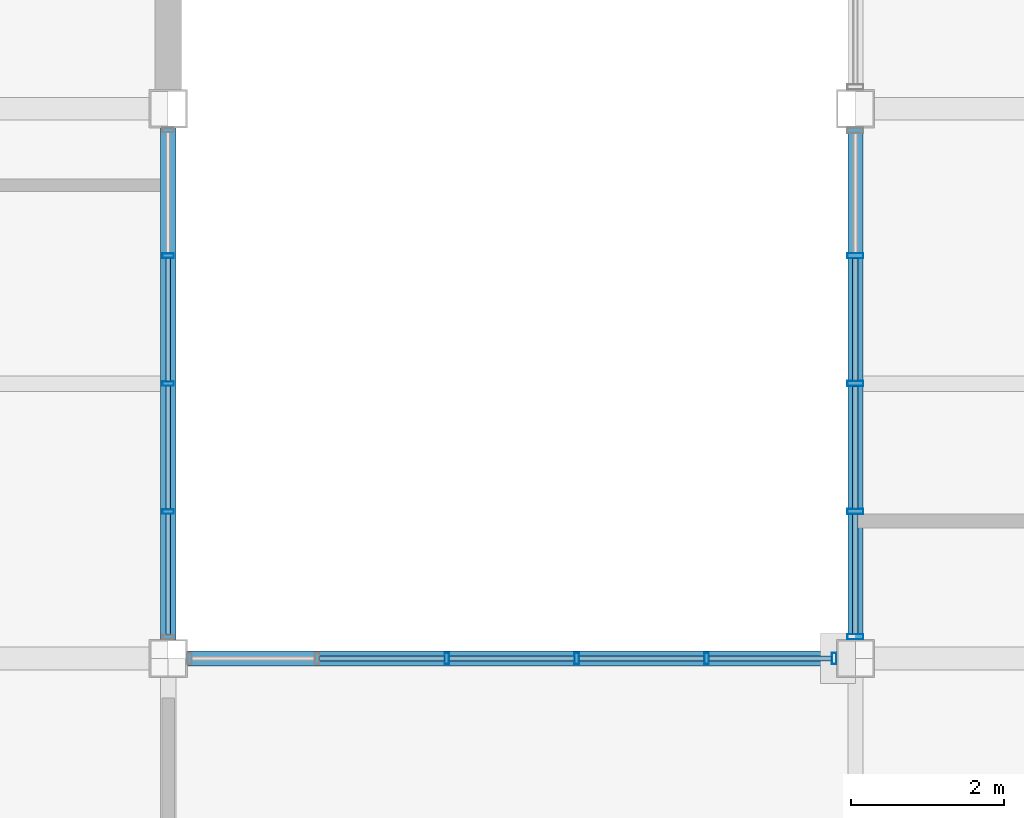
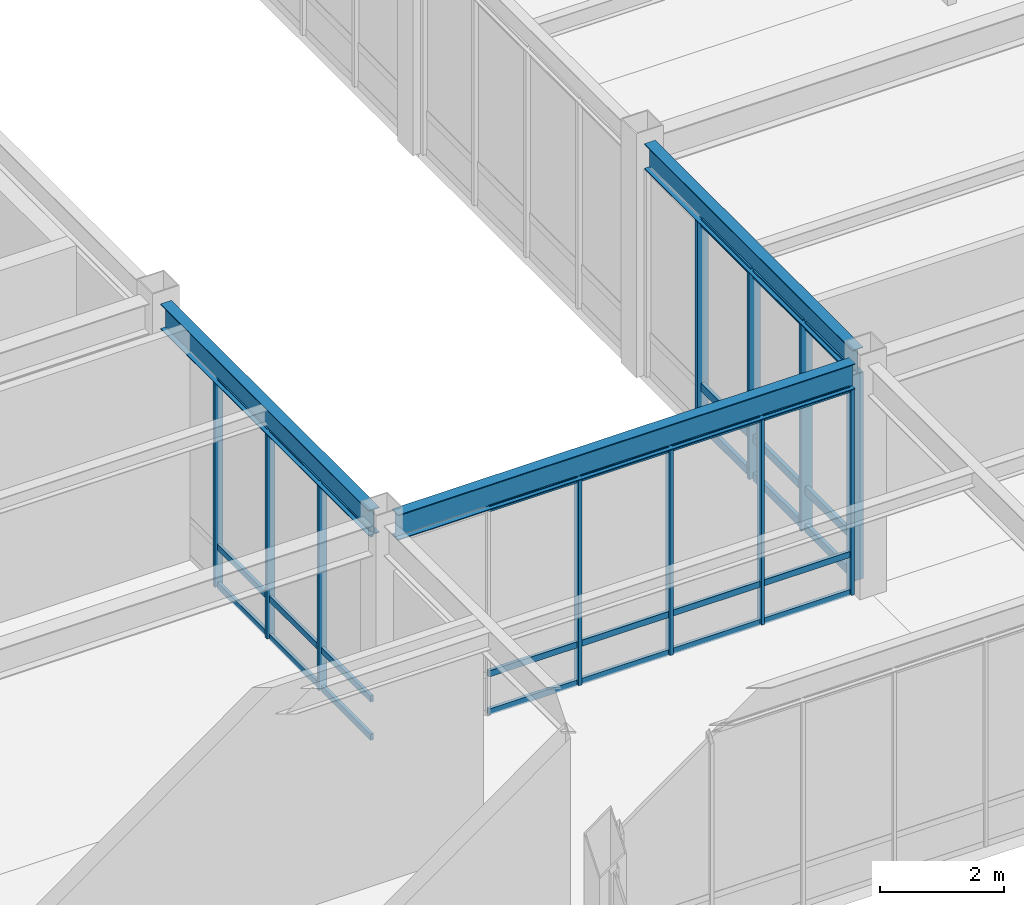
# One storey, part 50 of 112: 41 members, 3 beams, 3 elements without a shape of their own.
"""IFC4 building model written with IfcOpenShell, lengths in metres."""

from ifc_helpers import new_model, si_unit, direction, frame, origin, origin_2d, place, context, subcontext, project, spatial, hollow_rectangle, i_section, extrude, material, material_profile, profile_set, type_object, element, aggregate, save


model = new_model("IFC4")

# Units and contexts
model_context = context("Model", 3, precision=1e-05, world=origin(), true_north=direction((0.0, 1.0)))
body_context = subcontext(model_context, "Body", "Model", "MODEL_VIEW")
ifc_project = project(units=[si_unit("LENGTHUNIT", "METRE"), si_unit("AREAUNIT", "SQUARE_METRE"), si_unit("VOLUMEUNIT", "CUBIC_METRE"), si_unit("PLANEANGLEUNIT", "RADIAN"), si_unit("MASSUNIT", "GRAM", prefix="KILO")], contexts=[model_context])

# Site, building, storey
site_placement = place(None, origin())
site = spatial("IfcSite", under=ifc_project, at=site_placement, CompositionType="ELEMENT")
building_placement = place(site_placement, origin())
building = spatial("IfcBuilding", under=site, at=building_placement, Name="Kazanami Central Library", CompositionType="ELEMENT")
storey_placement = place(building_placement, origin())
storey = spatial("IfcBuildingStorey", under=building, at=storey_placement, Name="L01", CompositionType="ELEMENT", Elevation=0.0)

# Beams
ifc_material_1 = material(Name="Steel SN490B (325 MPa)", Category="steel")
ifc_material_profile_1 = material_profile(ifc_material_1, i_section(OverallWidth=0.199951171875, OverallDepth=0.5, WebThickness=0.010009765625, FlangeThickness=0.01611328125, at=origin_2d()), Name="H-500x200x10x16")
ifc_profile_set_1 = profile_set([ifc_material_profile_1], Name="Steel SN490B (325 MPa)")
beam_type = type_object("IfcBeamType", Name="BM-SP-1", PredefinedType="SPANDREL", material=ifc_profile_set_1)
beam_placement = place(storey_placement, frame((36.248046875, 72.0, 4.304931640625), z_axis=(1.0, 0.0, 0.0), x_axis=(0.0, 1.0, 0.0)))
element("IfcBeam", 1, at=beam_placement, inside=storey, type_object=beam_type, Name="Covered Link Bridge Girder SP-1 L01 L/5-6", PredefinedType="SPANDREL", context=body_context, shape_type="SweptSolid", body=[
    extrude(i_section(OverallWidth=0.199951171875, OverallDepth=0.5, WebThickness=0.010009765625, FlangeThickness=0.01611328125, at=origin_2d()), origin(), (0.0, 0.0, 1.0), 8.50390625),
])
for number, where, z_axis, x_axis, name in (
    (2, (36.0, 72.248046875, 4.304931640625), (0.0, 1.0, 0.0), (-1.0, 0.0, 0.0), "Girder SP-1 L01 5/L-M"),
    (3, (45.0, 72.248046875, 4.304931640625), (0.0, 1.0, 0.0), (-1.0, 0.0, 0.0), "Girder SP-1 L01 6/L-M"),
):
    element("IfcBeam", number, at=place(storey_placement, frame(where, z_axis=z_axis, x_axis=x_axis)), inside=storey, type_object=beam_type, Name=name, PredefinedType="SPANDREL", context=body_context, shape_type="SweptSolid", body=[
        extrude(i_section(OverallWidth=0.199951171875, OverallDepth=0.5, WebThickness=0.010009765625, FlangeThickness=0.01611328125, at=origin_2d()), origin(), (0.0, 0.0, 1.0), 6.703857421875),
    ])

# Curtain wall, members
ifc_material_2 = material(Name="Acid-Etched Low-E Laminated Glass", Category="glass")
curtain_wall_type_1 = type_object("IfcCurtainWallType", Name="CW-6700x4055-M180", PredefinedType="USERDEFINED", material=ifc_material_2)
curtain_wall_1_placement = place(storey_placement, origin())
curtain_wall_1 = element("IfcCurtainWall", 4, at=curtain_wall_1_placement, inside=storey, type_object=curtain_wall_type_1, Name="Covered Link Bridge Curtain Wall CW-09 L01 W-6-10", ObjectType="UNITISED CURTAIN WALL", PredefinedType="USERDEFINED")
ifc_material_3 = material(Name="Anodised Aluminium A6063-T5", Category="aluminium")
ifc_material_profile_2 = material_profile(ifc_material_3, hollow_rectangle(XDim=0.070068359375, YDim=0.2099609375, WallThickness=0.0048828125, at=origin_2d()), Name="ALU-MULL-70x210x5")
ifc_profile_set_2 = profile_set([ifc_material_profile_2], Name="Anodised Aluminium A6063-T5")
member_type_1 = type_object("IfcMemberType", Name="MEM-CW-M1", PredefinedType="MULLION", material=ifc_profile_set_2)
member_1_placement = place(storey_placement, frame((45.0, 72.284912109375, 0.0), z_axis=(0.0, 0.0, 1.0), x_axis=(0.0, 1.0, 0.0)))
member_1 = element("IfcMember", 5, at=member_1_placement, type_object=member_type_1, Name="CW-09 mullion 1", PredefinedType="MULLION", context=body_context, shape_type="SweptSolid", body=[
    extrude(hollow_rectangle(XDim=0.070068359375, YDim=0.2099609375, WallThickness=0.0048828125, at=origin_2d()), origin(), (0.0, 0.0, 1.0), 4.054931640625),
])
member_2_placement = place(storey_placement, frame((45.0, 73.925048828125, 0.0), z_axis=(0.0, 0.0, 1.0), x_axis=(0.0, 1.0, 0.0)))
member_2 = element("IfcMember", 6, at=member_2_placement, type_object=member_type_1, Name="CW-09 mullion 2", PredefinedType="MULLION", context=body_context, shape_type="SweptSolid", body=[
    extrude(hollow_rectangle(XDim=0.070068359375, YDim=0.2099609375, WallThickness=0.0048828125, at=origin_2d()), origin(), (0.0, 0.0, 1.0), 4.054931640625),
])
member_3_placement = place(storey_placement, frame((45.0, 75.60009765625, 0.0), z_axis=(0.0, 0.0, 1.0), x_axis=(0.0, 1.0, 0.0)))
member_3 = element("IfcMember", 7, at=member_3_placement, type_object=member_type_1, Name="CW-09 mullion 3", PredefinedType="MULLION", context=body_context, shape_type="SweptSolid", body=[
    extrude(hollow_rectangle(XDim=0.070068359375, YDim=0.2099609375, WallThickness=0.0048828125, at=origin_2d()), origin(), (0.0, 0.0, 1.0), 4.054931640625),
])
member_4_placement = place(storey_placement, frame((45.0, 77.27490234375, 0.0), z_axis=(0.0, 0.0, 1.0), x_axis=(0.0, 1.0, 0.0)))
member_4 = element("IfcMember", 8, at=member_4_placement, type_object=member_type_1, Name="CW-09 mullion 4", PredefinedType="MULLION", context=body_context, shape_type="SweptSolid", body=[
    extrude(hollow_rectangle(XDim=0.070068359375, YDim=0.2099609375, WallThickness=0.0048828125, at=origin_2d()), origin(), (0.0, 0.0, 1.0), 4.054931640625),
])

curtain_wall_type_2 = type_object("IfcCurtainWallType", Name="CW-8500x4055-M180", PredefinedType="USERDEFINED", material=ifc_material_2)
curtain_wall_2_placement = place(storey_placement, origin())
curtain_wall_2 = element("IfcCurtainWall", 9, at=curtain_wall_2_placement, inside=storey, type_object=curtain_wall_type_2, Name="Covered Link Bridge Curtain Wall CW-02 L01 N-L-04", ObjectType="UNITISED CURTAIN WALL", PredefinedType="USERDEFINED")
ifc_material_profile_3 = material_profile(ifc_material_3, hollow_rectangle(XDim=0.06005859375, YDim=0.14990234375, WallThickness=0.00390625, at=origin_2d()), Name="ALU-MULL-60x150x4")
ifc_profile_set_3 = profile_set([ifc_material_profile_3], Name="Anodised Aluminium A6063-T5")
member_type_2 = type_object("IfcMemberType", Name="MEM-CW-M3", PredefinedType="MULLION", material=ifc_profile_set_3)
member_5_placement = place(storey_placement, frame((44.719970703125, 72.0, 0.0), z_axis=(0.0, 0.0, 1.0), x_axis=(-1.0, 0.0, 0.0)))
member_5 = element("IfcMember", 10, at=member_5_placement, type_object=member_type_2, Name="CW-02 mullion 1", PredefinedType="MULLION", context=body_context, shape_type="SweptSolid", body=[
    extrude(hollow_rectangle(XDim=0.06005859375, YDim=0.14990234375, WallThickness=0.00390625, at=origin_2d()), origin(), (0.0, 0.0, 1.0), 4.054931640625),
])
member_6_placement = place(storey_placement, frame((43.050048828125, 72.0, 0.0), z_axis=(0.0, 0.0, 1.0), x_axis=(-1.0, 0.0, 0.0)))
member_6 = element("IfcMember", 11, at=member_6_placement, type_object=member_type_2, Name="CW-02 mullion 2", PredefinedType="MULLION", context=body_context, shape_type="SweptSolid", body=[
    extrude(hollow_rectangle(XDim=0.06005859375, YDim=0.14990234375, WallThickness=0.00390625, at=origin_2d()), origin(), (0.0, 0.0, 1.0), 4.054931640625),
])
member_7_placement = place(storey_placement, frame((41.35009765625, 72.0, 0.0), z_axis=(0.0, 0.0, 1.0), x_axis=(-1.0, 0.0, 0.0)))
member_7 = element("IfcMember", 12, at=member_7_placement, type_object=member_type_2, Name="CW-02 mullion 3", PredefinedType="MULLION", context=body_context, shape_type="SweptSolid", body=[
    extrude(hollow_rectangle(XDim=0.06005859375, YDim=0.14990234375, WallThickness=0.00390625, at=origin_2d()), origin(), (0.0, 0.0, 1.0), 4.054931640625),
])
member_8_placement = place(storey_placement, frame((39.64990234375, 72.0, 0.0), z_axis=(0.0, 0.0, 1.0), x_axis=(-1.0, 0.0, 0.0)))
member_8 = element("IfcMember", 13, at=member_8_placement, type_object=member_type_2, Name="CW-02 mullion 4", PredefinedType="MULLION", context=body_context, shape_type="SweptSolid", body=[
    extrude(hollow_rectangle(XDim=0.06005859375, YDim=0.14990234375, WallThickness=0.00390625, at=origin_2d()), origin(), (0.0, 0.0, 1.0), 4.054931640625),
])

curtain_wall_3_placement = place(storey_placement, origin())
curtain_wall_3 = element("IfcCurtainWall", 14, at=curtain_wall_3_placement, inside=storey, type_object=curtain_wall_type_1, Name="Covered Link Bridge Curtain Wall CW-09 L01 E-5-10", ObjectType="UNITISED CURTAIN WALL", PredefinedType="USERDEFINED")
member_9_placement = place(storey_placement, frame((36.0, 77.27490234375, 0.0), z_axis=(0.0, 0.0, 1.0), x_axis=(0.0, -1.0, 0.0)))
member_9 = element("IfcMember", 15, at=member_9_placement, type_object=member_type_2, Name="CW-09 mullion 2", PredefinedType="MULLION", context=body_context, shape_type="SweptSolid", body=[
    extrude(hollow_rectangle(XDim=0.06005859375, YDim=0.14990234375, WallThickness=0.00390625, at=origin_2d()), origin(), (0.0, 0.0, 1.0), 4.054931640625),
])
member_10_placement = place(storey_placement, frame((36.0, 75.60009765625, 0.0), z_axis=(0.0, 0.0, 1.0), x_axis=(0.0, -1.0, 0.0)))
member_10 = element("IfcMember", 16, at=member_10_placement, type_object=member_type_2, Name="CW-09 mullion 3", PredefinedType="MULLION", context=body_context, shape_type="SweptSolid", body=[
    extrude(hollow_rectangle(XDim=0.06005859375, YDim=0.14990234375, WallThickness=0.00390625, at=origin_2d()), origin(), (0.0, 0.0, 1.0), 4.054931640625),
])
member_11_placement = place(storey_placement, frame((36.0, 73.925048828125, 0.0), z_axis=(0.0, 0.0, 1.0), x_axis=(0.0, -1.0, 0.0)))
member_11 = element("IfcMember", 17, at=member_11_placement, type_object=member_type_2, Name="CW-09 mullion 4", PredefinedType="MULLION", context=body_context, shape_type="SweptSolid", body=[
    extrude(hollow_rectangle(XDim=0.06005859375, YDim=0.14990234375, WallThickness=0.00390625, at=origin_2d()), origin(), (0.0, 0.0, 1.0), 4.054931640625),
])

# Member
ifc_material_profile_4 = material_profile(ifc_material_3, hollow_rectangle(XDim=0.070068359375, YDim=0.159912109375, WallThickness=0.00390625, at=origin_2d()), Name="ALU-TRAN-70x160x4")
ifc_profile_set_4 = profile_set([ifc_material_profile_4], Name="Anodised Aluminium A6063-T5")
member_type_3 = type_object("IfcMemberType", Name="MEM-CW-T1", PredefinedType="USERDEFINED", material=ifc_profile_set_4)
member_12_placement = place(storey_placement, frame((45.0, 72.320068359375, 0.034912109375), z_axis=(0.0, 1.0, 0.0), x_axis=(-1.0, 0.0, 0.0)))
member_12 = element("IfcMember", 18, at=member_12_placement, type_object=member_type_3, Name="CW-09 transom 1.1", ObjectType="TRANSOM", PredefinedType="USERDEFINED", context=body_context, shape_type="SweptSolid", body=[
    extrude(hollow_rectangle(XDim=0.070068359375, YDim=0.159912109375, WallThickness=0.00390625, at=origin_2d()), origin(), (0.0, 0.0, 1.0), 1.56982421875),
])

member_13_placement = place(storey_placement, frame((45.0, 72.320068359375, 0.780029296875), z_axis=(0.0, 1.0, 0.0), x_axis=(-1.0, 0.0, 0.0)))
member_13 = element("IfcMember", 19, at=member_13_placement, type_object=member_type_3, Name="CW-09 transom 1.2", ObjectType="TRANSOM", PredefinedType="USERDEFINED", context=body_context, shape_type="SweptSolid", body=[
    extrude(hollow_rectangle(XDim=0.070068359375, YDim=0.159912109375, WallThickness=0.00390625, at=origin_2d()), origin(), (0.0, 0.0, 1.0), 1.56982421875),
])

member_14_placement = place(storey_placement, frame((45.0, 72.320068359375, 4.02001953125), z_axis=(0.0, 1.0, 0.0), x_axis=(-1.0, 0.0, 0.0)))
member_14 = element("IfcMember", 20, at=member_14_placement, type_object=member_type_3, Name="CW-09 transom 1.3", ObjectType="TRANSOM", PredefinedType="USERDEFINED", context=body_context, shape_type="SweptSolid", body=[
    extrude(hollow_rectangle(XDim=0.070068359375, YDim=0.159912109375, WallThickness=0.00390625, at=origin_2d()), origin(), (0.0, 0.0, 1.0), 1.56982421875),
])

member_15_placement = place(storey_placement, frame((45.0, 73.9599609375, 0.034912109375), z_axis=(0.0, 1.0, 0.0), x_axis=(-1.0, 0.0, 0.0)))
member_15 = element("IfcMember", 21, at=member_15_placement, type_object=member_type_3, Name="CW-09 transom 2.1", ObjectType="TRANSOM", PredefinedType="USERDEFINED", context=body_context, shape_type="SweptSolid", body=[
    extrude(hollow_rectangle(XDim=0.070068359375, YDim=0.159912109375, WallThickness=0.00390625, at=origin_2d()), origin(), (0.0, 0.0, 1.0), 1.60498046875),
])

member_16_placement = place(storey_placement, frame((45.0, 73.9599609375, 0.780029296875), z_axis=(0.0, 1.0, 0.0), x_axis=(-1.0, 0.0, 0.0)))
member_16 = element("IfcMember", 22, at=member_16_placement, type_object=member_type_3, Name="CW-09 transom 2.2", ObjectType="TRANSOM", PredefinedType="USERDEFINED", context=body_context, shape_type="SweptSolid", body=[
    extrude(hollow_rectangle(XDim=0.070068359375, YDim=0.159912109375, WallThickness=0.00390625, at=origin_2d()), origin(), (0.0, 0.0, 1.0), 1.60498046875),
])

member_17_placement = place(storey_placement, frame((45.0, 73.9599609375, 4.02001953125), z_axis=(0.0, 1.0, 0.0), x_axis=(-1.0, 0.0, 0.0)))
member_17 = element("IfcMember", 23, at=member_17_placement, type_object=member_type_3, Name="CW-09 transom 2.3", ObjectType="TRANSOM", PredefinedType="USERDEFINED", context=body_context, shape_type="SweptSolid", body=[
    extrude(hollow_rectangle(XDim=0.070068359375, YDim=0.159912109375, WallThickness=0.00390625, at=origin_2d()), origin(), (0.0, 0.0, 1.0), 1.60498046875),
])

member_18_placement = place(storey_placement, frame((45.0, 75.635009765625, 0.034912109375), z_axis=(0.0, 1.0, 0.0), x_axis=(-1.0, 0.0, 0.0)))
member_18 = element("IfcMember", 24, at=member_18_placement, type_object=member_type_3, Name="CW-09 transom 3.1", ObjectType="TRANSOM", PredefinedType="USERDEFINED", context=body_context, shape_type="SweptSolid", body=[
    extrude(hollow_rectangle(XDim=0.070068359375, YDim=0.159912109375, WallThickness=0.00390625, at=origin_2d()), origin(), (0.0, 0.0, 1.0), 1.60498046875),
])

member_19_placement = place(storey_placement, frame((45.0, 75.635009765625, 0.780029296875), z_axis=(0.0, 1.0, 0.0), x_axis=(-1.0, 0.0, 0.0)))
member_19 = element("IfcMember", 25, at=member_19_placement, type_object=member_type_3, Name="CW-09 transom 3.2", ObjectType="TRANSOM", PredefinedType="USERDEFINED", context=body_context, shape_type="SweptSolid", body=[
    extrude(hollow_rectangle(XDim=0.070068359375, YDim=0.159912109375, WallThickness=0.00390625, at=origin_2d()), origin(), (0.0, 0.0, 1.0), 1.60498046875),
])

member_20_placement = place(storey_placement, frame((45.0, 75.635009765625, 4.02001953125), z_axis=(0.0, 1.0, 0.0), x_axis=(-1.0, 0.0, 0.0)))
member_20 = element("IfcMember", 26, at=member_20_placement, type_object=member_type_3, Name="CW-09 transom 3.3", ObjectType="TRANSOM", PredefinedType="USERDEFINED", context=body_context, shape_type="SweptSolid", body=[
    extrude(hollow_rectangle(XDim=0.070068359375, YDim=0.159912109375, WallThickness=0.00390625, at=origin_2d()), origin(), (0.0, 0.0, 1.0), 1.60498046875),
])

aggregate(curtain_wall_1, [member_1, member_2, member_3, member_4, member_12, member_13, member_14, member_15, member_16, member_17, member_18, member_19, member_20])

ifc_material_profile_5 = material_profile(ifc_material_3, hollow_rectangle(XDim=0.06005859375, YDim=0.1201171875, WallThickness=0.00341796875, at=origin_2d()), Name="ALU-TRAN-60x120x3.5")
ifc_profile_set_5 = profile_set([ifc_material_profile_5], Name="Anodised Aluminium A6063-T5")
member_type_4 = type_object("IfcMemberType", Name="MEM-CW-T3", PredefinedType="USERDEFINED", material=ifc_profile_set_5)
member_21_placement = place(storey_placement, frame((44.68994140625, 72.0, 0.030029296875), z_axis=(-1.0, 0.0, 0.0), x_axis=(0.0, -1.0, 0.0)))
member_21 = element("IfcMember", 27, at=member_21_placement, type_object=member_type_4, Name="CW-02 transom 1.1", ObjectType="TRANSOM", PredefinedType="USERDEFINED", context=body_context, shape_type="SweptSolid", body=[
    extrude(hollow_rectangle(XDim=0.06005859375, YDim=0.1201171875, WallThickness=0.00341796875, at=origin_2d()), origin(), (0.0, 0.0, 1.0), 1.60986328125),
])

member_22_placement = place(storey_placement, frame((44.68994140625, 72.0, 0.780029296875), z_axis=(-1.0, 0.0, 0.0), x_axis=(0.0, -1.0, 0.0)))
member_22 = element("IfcMember", 28, at=member_22_placement, type_object=member_type_4, Name="CW-02 transom 1.2", ObjectType="TRANSOM", PredefinedType="USERDEFINED", context=body_context, shape_type="SweptSolid", body=[
    extrude(hollow_rectangle(XDim=0.06005859375, YDim=0.1201171875, WallThickness=0.00341796875, at=origin_2d()), origin(), (0.0, 0.0, 1.0), 1.60986328125),
])

member_23_placement = place(storey_placement, frame((44.68994140625, 72.0, 4.02490234375), z_axis=(-1.0, 0.0, 0.0), x_axis=(0.0, -1.0, 0.0)))
member_23 = element("IfcMember", 29, at=member_23_placement, type_object=member_type_4, Name="CW-02 transom 1.3", ObjectType="TRANSOM", PredefinedType="USERDEFINED", context=body_context, shape_type="SweptSolid", body=[
    extrude(hollow_rectangle(XDim=0.06005859375, YDim=0.1201171875, WallThickness=0.00341796875, at=origin_2d()), origin(), (0.0, 0.0, 1.0), 1.60986328125),
])

member_24_placement = place(storey_placement, frame((43.02001953125, 72.0, 0.030029296875), z_axis=(-1.0, 0.0, 0.0), x_axis=(0.0, -1.0, 0.0)))
member_24 = element("IfcMember", 30, at=member_24_placement, type_object=member_type_4, Name="CW-02 transom 2.1", ObjectType="TRANSOM", PredefinedType="USERDEFINED", context=body_context, shape_type="SweptSolid", body=[
    extrude(hollow_rectangle(XDim=0.06005859375, YDim=0.1201171875, WallThickness=0.00341796875, at=origin_2d()), origin(), (0.0, 0.0, 1.0), 1.64013671875),
])

member_25_placement = place(storey_placement, frame((43.02001953125, 72.0, 0.780029296875), z_axis=(-1.0, 0.0, 0.0), x_axis=(0.0, -1.0, 0.0)))
member_25 = element("IfcMember", 31, at=member_25_placement, type_object=member_type_4, Name="CW-02 transom 2.2", ObjectType="TRANSOM", PredefinedType="USERDEFINED", context=body_context, shape_type="SweptSolid", body=[
    extrude(hollow_rectangle(XDim=0.06005859375, YDim=0.1201171875, WallThickness=0.00341796875, at=origin_2d()), origin(), (0.0, 0.0, 1.0), 1.64013671875),
])

member_26_placement = place(storey_placement, frame((43.02001953125, 72.0, 4.02490234375), z_axis=(-1.0, 0.0, 0.0), x_axis=(0.0, -1.0, 0.0)))
member_26 = element("IfcMember", 32, at=member_26_placement, type_object=member_type_4, Name="CW-02 transom 2.3", ObjectType="TRANSOM", PredefinedType="USERDEFINED", context=body_context, shape_type="SweptSolid", body=[
    extrude(hollow_rectangle(XDim=0.06005859375, YDim=0.1201171875, WallThickness=0.00341796875, at=origin_2d()), origin(), (0.0, 0.0, 1.0), 1.64013671875),
])

member_27_placement = place(storey_placement, frame((41.320068359375, 72.0, 0.030029296875), z_axis=(-1.0, 0.0, 0.0), x_axis=(0.0, -1.0, 0.0)))
member_27 = element("IfcMember", 33, at=member_27_placement, type_object=member_type_4, Name="CW-02 transom 3.1", ObjectType="TRANSOM", PredefinedType="USERDEFINED", context=body_context, shape_type="SweptSolid", body=[
    extrude(hollow_rectangle(XDim=0.06005859375, YDim=0.1201171875, WallThickness=0.00341796875, at=origin_2d()), origin(), (0.0, 0.0, 1.0), 1.64013671875),
])

member_28_placement = place(storey_placement, frame((41.320068359375, 72.0, 0.780029296875), z_axis=(-1.0, 0.0, 0.0), x_axis=(0.0, -1.0, 0.0)))
member_28 = element("IfcMember", 34, at=member_28_placement, type_object=member_type_4, Name="CW-02 transom 3.2", ObjectType="TRANSOM", PredefinedType="USERDEFINED", context=body_context, shape_type="SweptSolid", body=[
    extrude(hollow_rectangle(XDim=0.06005859375, YDim=0.1201171875, WallThickness=0.00341796875, at=origin_2d()), origin(), (0.0, 0.0, 1.0), 1.64013671875),
])

member_29_placement = place(storey_placement, frame((41.320068359375, 72.0, 4.02490234375), z_axis=(-1.0, 0.0, 0.0), x_axis=(0.0, -1.0, 0.0)))
member_29 = element("IfcMember", 35, at=member_29_placement, type_object=member_type_4, Name="CW-02 transom 3.3", ObjectType="TRANSOM", PredefinedType="USERDEFINED", context=body_context, shape_type="SweptSolid", body=[
    extrude(hollow_rectangle(XDim=0.06005859375, YDim=0.1201171875, WallThickness=0.00341796875, at=origin_2d()), origin(), (0.0, 0.0, 1.0), 1.64013671875),
])

member_30_placement = place(storey_placement, frame((39.6201171875, 72.0, 0.030029296875), z_axis=(-1.0, 0.0, 0.0), x_axis=(0.0, -1.0, 0.0)))
member_30 = element("IfcMember", 36, at=member_30_placement, type_object=member_type_4, Name="CW-02 transom 4.1", ObjectType="TRANSOM", PredefinedType="USERDEFINED", context=body_context, shape_type="SweptSolid", body=[
    extrude(hollow_rectangle(XDim=0.06005859375, YDim=0.1201171875, WallThickness=0.00341796875, at=origin_2d()), origin(), (0.0, 0.0, 1.0), 1.64013671875),
])

member_31_placement = place(storey_placement, frame((39.6201171875, 72.0, 0.780029296875), z_axis=(-1.0, 0.0, 0.0), x_axis=(0.0, -1.0, 0.0)))
member_31 = element("IfcMember", 37, at=member_31_placement, type_object=member_type_4, Name="CW-02 transom 4.2", ObjectType="TRANSOM", PredefinedType="USERDEFINED", context=body_context, shape_type="SweptSolid", body=[
    extrude(hollow_rectangle(XDim=0.06005859375, YDim=0.1201171875, WallThickness=0.00341796875, at=origin_2d()), origin(), (0.0, 0.0, 1.0), 1.64013671875),
])

member_32_placement = place(storey_placement, frame((39.6201171875, 72.0, 4.02490234375), z_axis=(-1.0, 0.0, 0.0), x_axis=(0.0, -1.0, 0.0)))
member_32 = element("IfcMember", 38, at=member_32_placement, type_object=member_type_4, Name="CW-02 transom 4.3", ObjectType="TRANSOM", PredefinedType="USERDEFINED", context=body_context, shape_type="SweptSolid", body=[
    extrude(hollow_rectangle(XDim=0.06005859375, YDim=0.1201171875, WallThickness=0.00341796875, at=origin_2d()), origin(), (0.0, 0.0, 1.0), 1.64013671875),
])

aggregate(curtain_wall_2, [member_5, member_6, member_7, member_8, member_21, member_22, member_23, member_24, member_25, member_26, member_27, member_28, member_29, member_30, member_31, member_32])

member_33_placement = place(storey_placement, frame((36.0, 77.2451171875, 0.030029296875), z_axis=(0.0, -1.0, 0.0), x_axis=(1.0, 0.0, 0.0)))
member_33 = element("IfcMember", 39, at=member_33_placement, type_object=member_type_4, Name="CW-09 transom 2.1", ObjectType="TRANSOM", PredefinedType="USERDEFINED", context=body_context, shape_type="SweptSolid", body=[
    extrude(hollow_rectangle(XDim=0.06005859375, YDim=0.1201171875, WallThickness=0.00341796875, at=origin_2d()), origin(), (0.0, 0.0, 1.0), 1.615234375),
])

member_34_placement = place(storey_placement, frame((36.0, 77.2451171875, 0.780029296875), z_axis=(0.0, -1.0, 0.0), x_axis=(1.0, 0.0, 0.0)))
member_34 = element("IfcMember", 40, at=member_34_placement, type_object=member_type_4, Name="CW-09 transom 2.2", ObjectType="TRANSOM", PredefinedType="USERDEFINED", context=body_context, shape_type="SweptSolid", body=[
    extrude(hollow_rectangle(XDim=0.06005859375, YDim=0.1201171875, WallThickness=0.00341796875, at=origin_2d()), origin(), (0.0, 0.0, 1.0), 1.615234375),
])

member_35_placement = place(storey_placement, frame((36.0, 77.2451171875, 4.02490234375), z_axis=(0.0, -1.0, 0.0), x_axis=(1.0, 0.0, 0.0)))
member_35 = element("IfcMember", 41, at=member_35_placement, type_object=member_type_4, Name="CW-09 transom 2.3", ObjectType="TRANSOM", PredefinedType="USERDEFINED", context=body_context, shape_type="SweptSolid", body=[
    extrude(hollow_rectangle(XDim=0.06005859375, YDim=0.1201171875, WallThickness=0.00341796875, at=origin_2d()), origin(), (0.0, 0.0, 1.0), 1.615234375),
])

member_36_placement = place(storey_placement, frame((36.0, 75.570068359375, 0.030029296875), z_axis=(0.0, -1.0, 0.0), x_axis=(1.0, 0.0, 0.0)))
member_36 = element("IfcMember", 42, at=member_36_placement, type_object=member_type_4, Name="CW-09 transom 3.1", ObjectType="TRANSOM", PredefinedType="USERDEFINED", context=body_context, shape_type="SweptSolid", body=[
    extrude(hollow_rectangle(XDim=0.06005859375, YDim=0.1201171875, WallThickness=0.00341796875, at=origin_2d()), origin(), (0.0, 0.0, 1.0), 1.614990234375),
])

member_37_placement = place(storey_placement, frame((36.0, 75.570068359375, 0.780029296875), z_axis=(0.0, -1.0, 0.0), x_axis=(1.0, 0.0, 0.0)))
member_37 = element("IfcMember", 43, at=member_37_placement, type_object=member_type_4, Name="CW-09 transom 3.2", ObjectType="TRANSOM", PredefinedType="USERDEFINED", context=body_context, shape_type="SweptSolid", body=[
    extrude(hollow_rectangle(XDim=0.06005859375, YDim=0.1201171875, WallThickness=0.00341796875, at=origin_2d()), origin(), (0.0, 0.0, 1.0), 1.614990234375),
])

member_38_placement = place(storey_placement, frame((36.0, 75.570068359375, 4.02490234375), z_axis=(0.0, -1.0, 0.0), x_axis=(1.0, 0.0, 0.0)))
member_38 = element("IfcMember", 44, at=member_38_placement, type_object=member_type_4, Name="CW-09 transom 3.3", ObjectType="TRANSOM", PredefinedType="USERDEFINED", context=body_context, shape_type="SweptSolid", body=[
    extrude(hollow_rectangle(XDim=0.06005859375, YDim=0.1201171875, WallThickness=0.00341796875, at=origin_2d()), origin(), (0.0, 0.0, 1.0), 1.614990234375),
])

member_39_placement = place(storey_placement, frame((36.0, 73.89501953125, 0.030029296875), z_axis=(0.0, -1.0, 0.0), x_axis=(1.0, 0.0, 0.0)))
member_39 = element("IfcMember", 45, at=member_39_placement, type_object=member_type_4, Name="CW-09 transom 4.1", ObjectType="TRANSOM", PredefinedType="USERDEFINED", context=body_context, shape_type="SweptSolid", body=[
    extrude(hollow_rectangle(XDim=0.06005859375, YDim=0.1201171875, WallThickness=0.00341796875, at=origin_2d()), origin(), (0.0, 0.0, 1.0), 1.5849609375),
])

member_40_placement = place(storey_placement, frame((36.0, 73.89501953125, 0.780029296875), z_axis=(0.0, -1.0, 0.0), x_axis=(1.0, 0.0, 0.0)))
member_40 = element("IfcMember", 46, at=member_40_placement, type_object=member_type_4, Name="CW-09 transom 4.2", ObjectType="TRANSOM", PredefinedType="USERDEFINED", context=body_context, shape_type="SweptSolid", body=[
    extrude(hollow_rectangle(XDim=0.06005859375, YDim=0.1201171875, WallThickness=0.00341796875, at=origin_2d()), origin(), (0.0, 0.0, 1.0), 1.5849609375),
])

member_41_placement = place(storey_placement, frame((36.0, 73.89501953125, 4.02490234375), z_axis=(0.0, -1.0, 0.0), x_axis=(1.0, 0.0, 0.0)))
member_41 = element("IfcMember", 47, at=member_41_placement, type_object=member_type_4, Name="CW-09 transom 4.3", ObjectType="TRANSOM", PredefinedType="USERDEFINED", context=body_context, shape_type="SweptSolid", body=[
    extrude(hollow_rectangle(XDim=0.06005859375, YDim=0.1201171875, WallThickness=0.00341796875, at=origin_2d()), origin(), (0.0, 0.0, 1.0), 1.5849609375),
])

aggregate(curtain_wall_3, [member_9, member_10, member_11, member_33, member_34, member_35, member_36, member_37, member_38, member_39, member_40, member_41])

save(model, "model.ifc")
